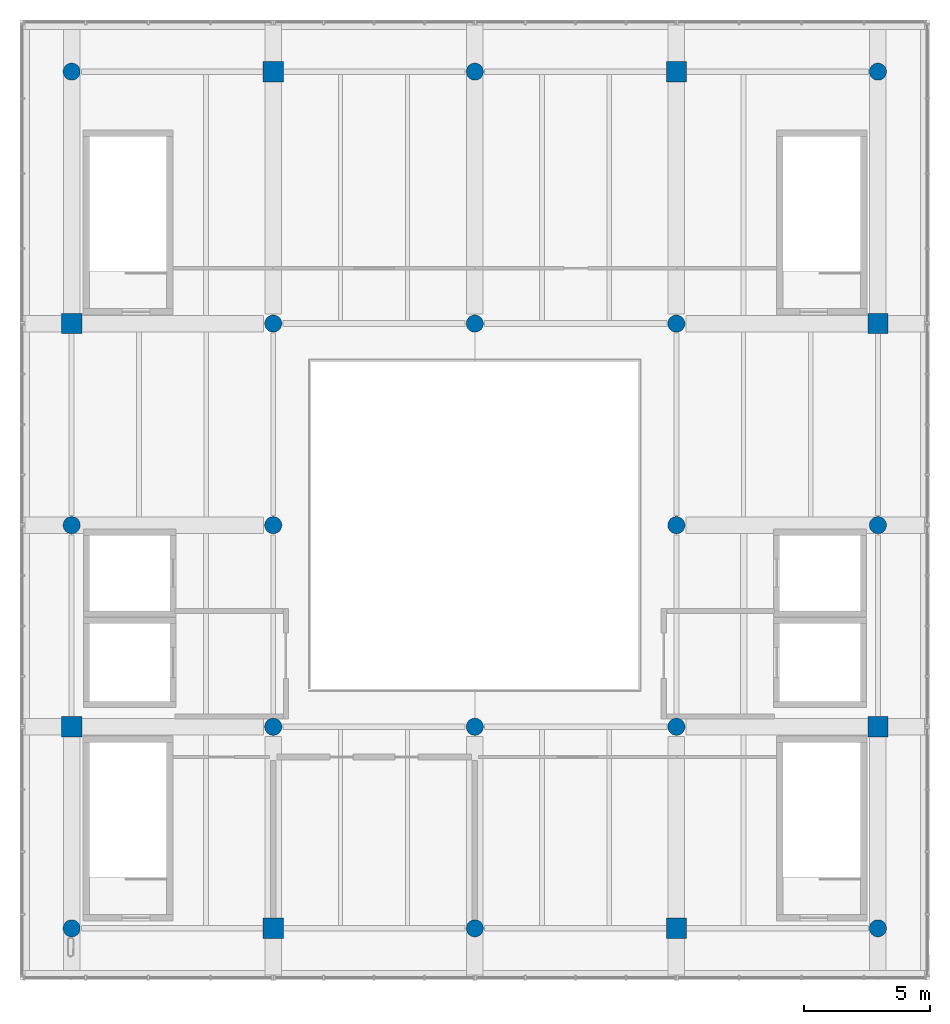
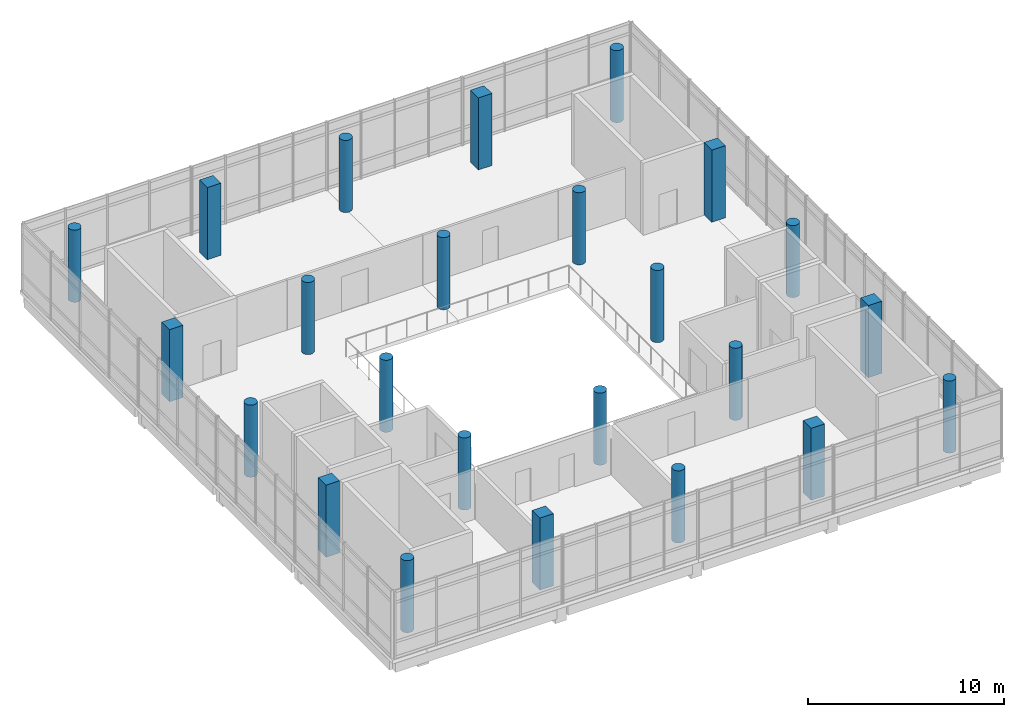
# One storey, part 1 of 15: 24 columns.
"""IFC4 building model written with IfcOpenShell, lengths in metres."""

from ifc_helpers import new_model, si_unit, direction, frame, origin, origin_2d, place, context, subcontext, project, spatial, rectangle, circle, extrude, material, material_profile, profile_set, type_object, element, save


model = new_model("IFC4")

# Units and contexts
model_context = context("Model", 3, precision=1e-05, world=origin(), true_north=direction((0.0, 1.0)))
body_context = subcontext(model_context, "Body", "Model", "MODEL_VIEW")
ifc_project = project(units=[si_unit("LENGTHUNIT", "METRE"), si_unit("AREAUNIT", "SQUARE_METRE"), si_unit("VOLUMEUNIT", "CUBIC_METRE"), si_unit("PLANEANGLEUNIT", "RADIAN"), si_unit("MASSUNIT", "GRAM", prefix="KILO")], contexts=[model_context])

# Site, building, storey
site_placement = place(None, origin())
site = spatial("IfcSite", under=ifc_project, at=site_placement, CompositionType="ELEMENT")
building_placement = place(site_placement, origin())
building = spatial("IfcBuilding", under=site, at=building_placement, Name="Pecanmere Concourse Central Library", CompositionType="ELEMENT")
storey_placement = place(building_placement, frame((0.0, 0.0, 30.300048828125)))
storey = spatial("IfcBuildingStorey", under=building, at=storey_placement, Name="L07", CompositionType="ELEMENT", Elevation=30.300048828125)

# Columns
ifc_material_1 = material(Name="Concrete C40/50", Category="concrete")
ifc_material_profile_1 = material_profile(ifc_material_1, circle(Radius=0.340087890625, at=origin_2d()), Name="RC D680")
ifc_profile_set_1 = profile_set([ifc_material_profile_1], Name="Concrete C40/50")
column_type_1 = type_object("IfcColumnType", Name="COL_CIRC_680", PredefinedType="COLUMN", material=ifc_profile_set_1)
for number, where, z_axis, x_axis, name in (
    (1, (72.0, 90.0, 0.0), (0.0, 0.0, 1.0), (1.0, 0.0, 0.0), "Column CC-06 L07-001"),
    (2, (72.0, 106.0, 0.0), (0.0, 0.0, 1.0), (1.0, 0.0, 0.0), "Column CC-06 L07-003"),
    (3, (72.0, 124.0, 0.0), (0.0, 0.0, 1.0), (1.0, 0.0, 0.0), "Column CC-06 L07-005"),
    (4, (80.0, 98.0, 0.0), (0.0, 0.0, 1.0), (1.0, 0.0, 0.0), "Column CC-06 L07-007"),
    (5, (80.0, 106.0, 0.0), (0.0, 0.0, 1.0), (1.0, 0.0, 0.0), "Column CC-06 L07-008"),
    (6, (80.0, 114.0, 0.0), (0.0, 0.0, 1.0), (1.0, 0.0, 0.0), "Column CC-06 L07-009"),
    (7, (88.0, 90.0, 0.0), (0.0, 0.0, 1.0), (1.0, 0.0, 0.0), "Column CC-06 L07-011"),
    (8, (88.0, 98.0, 0.0), (0.0, 0.0, 1.0), (1.0, 0.0, 0.0), "Column CC-06 L07-012"),
    (9, (88.0, 114.0, 0.0), (0.0, 0.0, 1.0), (1.0, 0.0, 0.0), "Column CC-06 L07-013"),
    (10, (88.0, 124.0, 0.0), (0.0, 0.0, 1.0), (1.0, 0.0, 0.0), "Column CC-06 L07-014"),
    (11, (96.0, 98.0, 0.0), (0.0, 0.0, 1.0), (1.0, 0.0, 0.0), "Column CC-06 L07-016"),
    (12, (96.0, 106.0, 0.0), (0.0, 0.0, 1.0), (1.0, 0.0, 0.0), "Column CC-06 L07-017"),
    (13, (96.0, 114.0, 0.0), (0.0, 0.0, 1.0), (1.0, 0.0, 0.0), "Column CC-06 L07-018"),
    (14, (104.0, 90.0, 0.0), (0.0, 0.0, 1.0), (1.0, 0.0, 0.0), "Column CC-06 L07-020"),
    (15, (104.0, 106.0, 0.0), (0.0, 0.0, 1.0), (1.0, 0.0, 0.0), "Column CC-06 L07-022"),
    (16, (104.0, 124.0, 0.0), (0.0, 0.0, 1.0), (1.0, 0.0, 0.0), "Column CC-06 L07-024"),
):
    element("IfcColumn", number, at=place(storey_placement, frame(where, z_axis=z_axis, x_axis=x_axis)), inside=storey, type_object=column_type_1, Name=name, PredefinedType="COLUMN", context=body_context, shape_type="SweptSolid", body=[
        extrude(circle(Radius=0.340087890625, at=origin_2d()), origin(), (0.0, 0.0, 1.0), 4.5),
    ])
ifc_material_2 = material(Name="Concrete C40/50", Category="concrete")
ifc_material_profile_2 = material_profile(ifc_material_2, rectangle(XDim=0.800048828125, YDim=0.800048828125, at=origin_2d()), Name="RC 800x800")
ifc_profile_set_2 = profile_set([ifc_material_profile_2], Name="Concrete C40/50")
column_type_2 = type_object("IfcColumnType", Name="COL_RC_800x800", PredefinedType="COLUMN", material=ifc_profile_set_2)
for number, where, z_axis, x_axis, name in (
    (17, (72.0, 98.0, 0.0), (0.0, 0.0, 1.0), (1.0, 0.0, 0.0), "Column C-04 L07-002"),
    (18, (72.0, 114.0, 0.0), (0.0, 0.0, 1.0), (1.0, 0.0, 0.0), "Column C-04 L07-004"),
    (19, (80.0, 90.0, 0.0), (0.0, 0.0, 1.0), (1.0, 0.0, 0.0), "Column C-04 L07-006"),
    (20, (80.0, 124.0, 0.0), (0.0, 0.0, 1.0), (1.0, 0.0, 0.0), "Column C-04 L07-010"),
    (21, (96.0, 90.0, 0.0), (0.0, 0.0, 1.0), (1.0, 0.0, 0.0), "Column C-04 L07-015"),
    (22, (96.0, 124.0, 0.0), (0.0, 0.0, 1.0), (1.0, 0.0, 0.0), "Column C-04 L07-019"),
    (23, (104.0, 98.0, 0.0), (0.0, 0.0, 1.0), (1.0, 0.0, 0.0), "Column C-04 L07-021"),
    (24, (104.0, 114.0, 0.0), (0.0, 0.0, 1.0), (1.0, 0.0, 0.0), "Column C-04 L07-023"),
):
    element("IfcColumn", number, at=place(storey_placement, frame(where, z_axis=z_axis, x_axis=x_axis)), inside=storey, type_object=column_type_2, Name=name, PredefinedType="COLUMN", context=body_context, shape_type="SweptSolid", body=[
        extrude(rectangle(XDim=0.800048828125, YDim=0.800048828125, at=origin_2d()), origin(), (0.0, 0.0, 1.0), 4.5),
    ])

save(model, "model.ifc")
